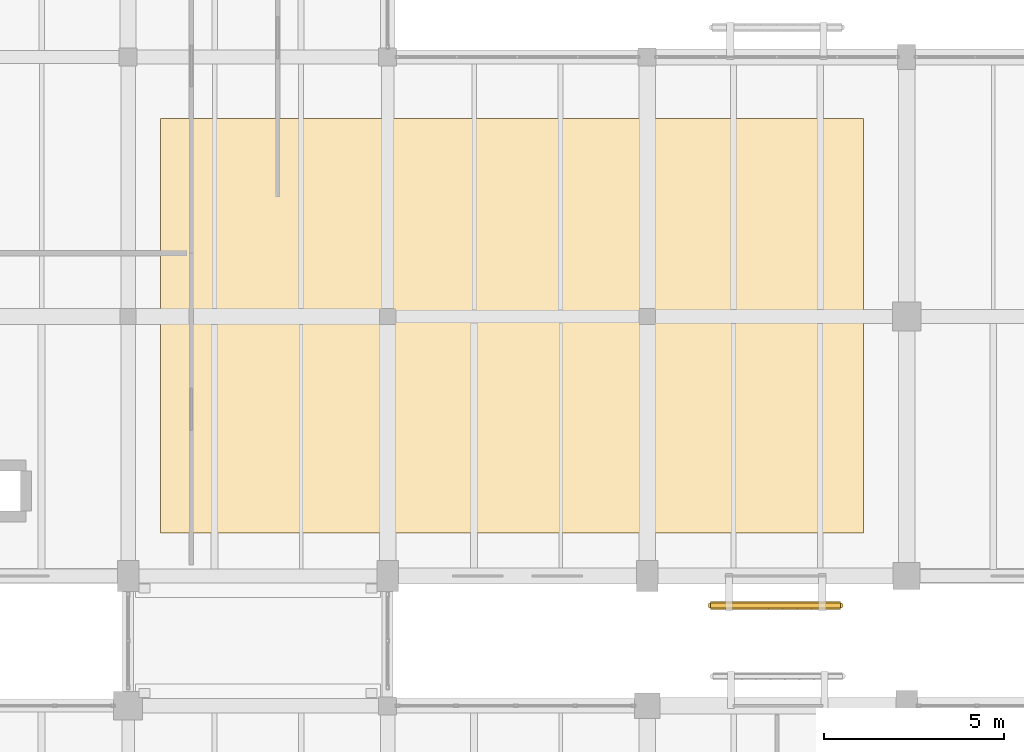
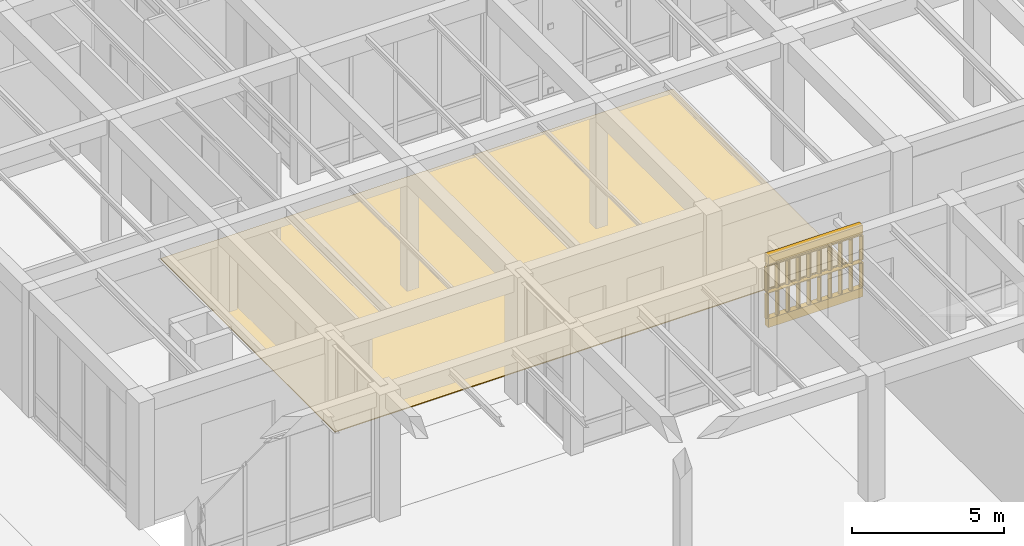
# One storey, part 163 of 169: 3 coverings, 2 railings.
"""IFC4 building model written with IfcOpenShell, lengths in metres."""

import ifcopenshell
import ifcopenshell.guid

model = None  # the IFC model being written
_history = None  # IfcOwnerHistory: only IFC2X3 demands one
_inside = {}  # id of a spatial element -> (the spatial element, [elements in it])
_under = {}  # id of a project, library or spatial element -> (it, [spatial elements below it])
_declared = {}  # id of a project -> (the project, [libraries it declares])
_typed = {}  # id of a type object -> (the type object, [elements of that type])
_made_of = {}  # id of a material, layer set ... -> (it, [elements and type objects made of it])


def new_model(schema):
    """Start an empty IFC model of exactly this schema.

    Asked for "IFC4X3", IfcOpenShell would pick the latest addendum, in which some entities
    have other attributes; the version numbers below select the first issue.
    IFC2X3 requires an IfcOwnerHistory on every rooted entity: one is made here for all.
    """
    global model, _history
    if schema == "IFC4X3":
        model = ifcopenshell.file(schema_version=(4, 3, 0, 0))
    else:
        model = ifcopenshell.file(schema=schema)
    _inside.clear()
    _under.clear()
    _declared.clear()
    _typed.clear()
    _made_of.clear()
    _history = None
    if model.schema == "IFC2X3":
        org = make("IfcOrganization", Name="unknown")
        user = make(
            "IfcPersonAndOrganization",
            ThePerson=make("IfcPerson", FamilyName="unknown"),
            TheOrganization=org,
        )
        app = make(
            "IfcApplication",
            ApplicationDeveloper=org,
            Version="unknown",
            ApplicationFullName="unknown",
            ApplicationIdentifier="unknown",
        )
        _history = make(
            "IfcOwnerHistory",
            OwningUser=user,
            OwningApplication=app,
            ChangeAction="ADDED",
            CreationDate=0,
        )
    return model


def make(cls, **values):
    """One entity of the class cls with the attributes given. An attribute that is None is left unset."""
    return model.create_entity(
        cls, **{name: value for name, value in values.items() if value is not None}
    )


def rooted(cls, **values):
    """An entity with a GlobalId (a new one), such as an element, a storey or a relation."""
    return make(cls, GlobalId=ifcopenshell.guid.new(), OwnerHistory=_history, **values)


def si_unit(unit_type, name, prefix=None):
    """IfcSIUnit, for example si_unit("LENGTHUNIT", "METRE", prefix="MILLI")."""
    return make("IfcSIUnit", UnitType=unit_type, Prefix=prefix, Name=name)


def assignment(units):
    """IfcUnitAssignment: the units of a project."""
    return None if units is None else make("IfcUnitAssignment", Units=units)


def point(xyz):
    """IfcCartesianPoint."""
    return None if xyz is None else make("IfcCartesianPoint", Coordinates=xyz)


def direction(xyz):
    """IfcDirection."""
    return None if xyz is None else make("IfcDirection", DirectionRatios=xyz)


def frame(location, z_axis=None, x_axis=None):
    """IfcAxis2Placement3D, a coordinate frame: its origin and axes. An axis left out is left unset."""
    return make(
        "IfcAxis2Placement3D",
        Location=point(location),
        Axis=direction(z_axis),
        RefDirection=direction(x_axis),
    )


def frame_2d(location, x_axis=None):
    """IfcAxis2Placement2D, a coordinate frame in the plane: its origin and x axis."""
    return make(
        "IfcAxis2Placement2D", Location=point(location), RefDirection=direction(x_axis)
    )


def origin():
    """The frame at (0, 0, 0) with its axes left unset."""
    return frame((0.0, 0.0, 0.0))


def origin_2d():
    """The frame at (0, 0) in the plane with its x axis left unset."""
    return frame_2d((0.0, 0.0))


def place(relative_to, where):
    """IfcLocalPlacement: puts the frame where relative to a parent placement (None: the world)."""
    return make(
        "IfcLocalPlacement", PlacementRelTo=relative_to, RelativePlacement=where
    )


def context(
    kind, dimensions, precision=None, world=None, true_north=None, identifier=None
):
    """IfcGeometricRepresentationContext, for example the 3D "Model" context."""
    return make(
        "IfcGeometricRepresentationContext",
        ContextIdentifier=identifier,
        ContextType=kind,
        CoordinateSpaceDimension=dimensions,
        Precision=precision,
        WorldCoordinateSystem=world,
        TrueNorth=true_north,
    )


def subcontext(parent, identifier, kind, view, scale=None):
    """IfcGeometricRepresentationSubContext, for example "Body" below "Model"."""
    return make(
        "IfcGeometricRepresentationSubContext",
        ContextIdentifier=identifier,
        ContextType=kind,
        ParentContext=parent,
        TargetScale=scale,
        TargetView=view,
    )


def project(units=None, contexts=None):
    """IfcProject with its units and contexts."""
    return rooted(
        "IfcProject",
        Name="project",
        RepresentationContexts=contexts,
        UnitsInContext=assignment(units),
    )


def spatial(cls, under=None, at=None, **own):
    """A site, building, storey or space (cls), placed at a placement, below another one or the project."""
    s = rooted(cls, ObjectPlacement=at, **own)
    if under is not None:
        _under.setdefault(under.id(), (under, []))[1].append(s)
    return s


def polyline(points):
    """IfcPolyline through the points."""
    return make("IfcPolyline", Points=[point(p) for p in points])


def profile(cls, at=None, kind="AREA", **sizes):
    """A parametric profile (cls). Its sizes go by their IFC names, for example OverallWidth=200.0."""
    return make(cls, ProfileType=kind, Position=at, **sizes)


def circle(**sizes):
    """IfcCircleProfileDef."""
    return profile("IfcCircleProfileDef", **sizes)


def outline(outer, holes=None, kind="AREA"):
    """IfcArbitraryClosedProfileDef: a profile drawn as a closed curve; with holes, ...WithVoids."""
    if holes is None:
        return make("IfcArbitraryClosedProfileDef", ProfileType=kind, OuterCurve=outer)
    return make(
        "IfcArbitraryProfileDefWithVoids",
        ProfileType=kind,
        OuterCurve=outer,
        InnerCurves=holes,
    )


def extrude(swept, where, along, depth):
    """IfcExtrudedAreaSolid: the profile swept, set in the frame where, extruded along a direction by depth."""
    return make(
        "IfcExtrudedAreaSolid",
        SweptArea=swept,
        Position=where,
        ExtrudedDirection=direction(along),
        Depth=depth,
    )


def shape(context_of_items, identifier, shape_type, items):
    """IfcShapeRepresentation: the items that make up one representation, for example the "Body"."""
    return make(
        "IfcShapeRepresentation",
        ContextOfItems=context_of_items,
        RepresentationIdentifier=identifier,
        RepresentationType=shape_type,
        Items=items,
    )


def material(Name=None, Category=None):
    """IfcMaterial."""
    return make("IfcMaterial", Name=Name, Category=Category)


def layer(
    of_material, thickness, ventilated=None, Name=None, Category=None, Priority=None
):
    """IfcMaterialLayer: one layer of a wall or slab, of a material (None: an air gap)."""
    return make(
        "IfcMaterialLayer",
        Material=of_material,
        LayerThickness=thickness,
        IsVentilated=ventilated,
        Name=Name,
        Category=Category,
        Priority=Priority,
    )


def layer_set(layers, Name=None):
    """IfcMaterialLayerSet."""
    return make("IfcMaterialLayerSet", MaterialLayers=layers, LayerSetName=Name)


def made_of(thing, what):
    """Note that an element or type object is made of a material, layer set ...; save() writes the relation."""
    if what is not None:
        _made_of.setdefault(what.id(), (what, []))[1].append(thing)
    return thing


def type_object(cls, material=None, **own):
    """A type object (cls), such as IfcWallType, which elements share."""
    return made_of(rooted(cls, **own), material)


def element(
    cls,
    number,
    at=None,
    inside=None,
    cuts=None,
    type_object=None,
    material=None,
    context=None,
    identifier="Body",
    shape_type=None,
    held_by="IfcProductDefinitionShape",
    body=None,
    shapes=None,
    **own,
):
    """One element of the class cls, such as IfcWall. Its Tag is "e" and its number.

    at: its placement. inside: the storey or other place that contains it. cuts: it is an
    opening in that element (IfcRelVoidsElement). A single representation is given by context,
    identifier, shape_type and body (its items); several are given by shapes. held_by: the class
    of the entity that holds the representations. save() writes the other relations.
    """
    e = rooted(cls, Tag="e%d" % number, ObjectPlacement=at, **own)
    if body is not None:
        shapes = [shape(context, identifier, shape_type, body)]
    if shapes is not None:
        e.Representation = make(held_by, Representations=shapes)
    if inside is not None:
        _inside.setdefault(inside.id(), (inside, []))[1].append(e)
    if cuts is not None:
        rooted(
            "IfcRelVoidsElement", RelatingBuildingElement=cuts, RelatedOpeningElement=e
        )
    if type_object is not None:
        _typed.setdefault(type_object.id(), (type_object, []))[1].append(e)
    return made_of(e, material)


def aggregate(whole, parts):
    """IfcRelAggregates: a whole, such as a stair, and the parts it consists of."""
    return rooted("IfcRelAggregates", RelatingObject=whole, RelatedObjects=parts)


def save(model, path):
    """Write the relations noted so far, then the file.

    IfcRelAggregates (storeys below a building ...), IfcRelContainedInSpatialStructure (elements
    in a storey), IfcRelDefinesByType, IfcRelAssociatesMaterial and IfcRelDeclares: one each for
    every whole, place, type object, material and project.
    """
    for whole, parts in _under.values():
        aggregate(whole, parts)
    for where, things in _inside.values():
        rooted(
            "IfcRelContainedInSpatialStructure",
            RelatedElements=things,
            RelatingStructure=where,
        )
    for kind, things in _typed.values():
        rooted("IfcRelDefinesByType", RelatedObjects=things, RelatingType=kind)
    for what, things in _made_of.values():
        rooted("IfcRelAssociatesMaterial", RelatedObjects=things, RelatingMaterial=what)
    for by, libraries in _declared.values():
        rooted("IfcRelDeclares", RelatingContext=by, RelatedDefinitions=libraries)
    model.write(path)


model = new_model("IFC4")

# Units and contexts
model_context = context("Model", 3, precision=1e-05, world=origin(), true_north=direction((0.0, 1.0)))
body_context = subcontext(model_context, "Body", "Model", "MODEL_VIEW")
ifc_project = project(units=[si_unit("LENGTHUNIT", "METRE"), si_unit("AREAUNIT", "SQUARE_METRE"), si_unit("VOLUMEUNIT", "CUBIC_METRE"), si_unit("PLANEANGLEUNIT", "RADIAN"), si_unit("MASSUNIT", "GRAM", prefix="KILO")], contexts=[model_context])

# Site, building, storey
site_placement = place(None, origin())
site = spatial("IfcSite", under=ifc_project, at=site_placement, CompositionType="ELEMENT")
building_placement = place(site_placement, origin())
building = spatial("IfcBuilding", under=site, at=building_placement, Name="Mazaris Harbour Polytechnic", CompositionType="ELEMENT")
storey_placement = place(building_placement, origin())
storey = spatial("IfcBuildingStorey", under=building, at=storey_placement, Name="L00", CompositionType="ELEMENT", Elevation=0.0)

# Covering
ifc_material_1 = material(Name="Honed Stone Terrazzo", Category="masonry")
ifc_layer_1 = layer(ifc_material_1, 0.034912109375, Name="Honed Stone Terrazzo")
ifc_layer_set_1 = layer_set([ifc_layer_1], Name="Honed Stone Terrazzo")
covering_type_1 = type_object("IfcCoveringType", Name="Honed Stone Terrazzo Flooring 35", PredefinedType="FLOORING", material=ifc_layer_set_1)
covering_1_placement = place(storey_placement, origin())
element("IfcCovering", 1, at=covering_1_placement, inside=storey, type_object=covering_type_1, Name="Covering COV-FL-06", PredefinedType="FLOORING", context=body_context, shape_type="SweptSolid", body=[
    extrude(outline(polyline([(130.5, 48.0), (150.0, 48.0), (150.0, 59.5), (130.5, 59.5), (130.5, 48.0)])), origin(), (0.0, 0.0, 1.0), 0.034912109375),
])

# Railings
ifc_material_2 = material(Name="Perforated Earth-Coloured Terracotta Block", Category="masonry")
railing_type = type_object("IfcRailingType", Name="Perforated Earth-Block Claustra Lattice 1040", PredefinedType="BALUSTRADE", material=ifc_material_2)
for number, where, name in (
    (2, (149.362548828125, 45.97998046875, 0.52001953125), "V5 L00 Lower Perforated Terracotta Block Screen 358"),
    (3, (149.362548828125, 45.97998046875, 1.610107421875), "V5 L00 Upper Perforated Terracotta Block Screen 358"),
):
    element("IfcRailing", number, at=place(storey_placement, frame(where)), inside=storey, type_object=railing_type, Name=name, PredefinedType="BALUSTRADE", context=body_context, shape_type="SweptSolid", body=[
        extrude(circle(Radius=0.06982421875, at=origin_2d()), frame((0.0, 0.0, 1.02001953125), z_axis=(-1.0, 0.0, 0.0), x_axis=(0.0, -1.0, 0.0)), (0.0, 0.0, 1.0), 3.60009765625),
        extrude(circle(Radius=0.074951171875, at=origin_2d()), origin(), (0.0, 0.0, 1.0), 0.9501953125),
        extrude(circle(Radius=0.074951171875, at=origin_2d()), frame((-0.39990234375, 0.0, 0.0)), (0.0, 0.0, 1.0), 0.9501953125),
        extrude(circle(Radius=0.074951171875, at=origin_2d()), frame((-0.800048828125, 0.0, 0.0)), (0.0, 0.0, 1.0), 0.9501953125),
        extrude(circle(Radius=0.074951171875, at=origin_2d()), frame((-1.199951171875, 0.0, 0.0)), (0.0, 0.0, 1.0), 0.9501953125),
        extrude(circle(Radius=0.074951171875, at=origin_2d()), frame((-1.60009765625, 0.0, 0.0)), (0.0, 0.0, 1.0), 0.9501953125),
        extrude(circle(Radius=0.074951171875, at=origin_2d()), frame((-2.0, 0.0, 0.0)), (0.0, 0.0, 1.0), 0.9501953125),
        extrude(circle(Radius=0.074951171875, at=origin_2d()), frame((-2.400146484375, 0.0, 0.0)), (0.0, 0.0, 1.0), 0.9501953125),
        extrude(circle(Radius=0.074951171875, at=origin_2d()), frame((-2.800048828125, 0.0, 0.0)), (0.0, 0.0, 1.0), 0.9501953125),
        extrude(circle(Radius=0.074951171875, at=origin_2d()), frame((-3.2001953125, 0.0, 0.0)), (0.0, 0.0, 1.0), 0.9501953125),
        extrude(circle(Radius=0.074951171875, at=origin_2d()), frame((-3.60009765625, 0.0, 0.0)), (0.0, 0.0, 1.0), 0.9501953125),
    ])

# Coverings
ifc_material_3 = material(Name="Perforated Earth-Coloured Terracotta Block", Category="masonry")
ifc_layer_2 = layer(ifc_material_3, 0.219970703125, Name="Perforated Earth-Coloured Terracotta Block")
ifc_layer_set_2 = layer_set([ifc_layer_2], Name="Perforated Earth-Coloured Terracotta Block")
covering_type_2 = type_object("IfcCoveringType", Name="Terracotta Screen Course Cladding 220", PredefinedType="CLADDING", material=ifc_layer_set_2)
covering_2_placement = place(storey_placement, frame((0.0, 0.0, 0.159912109375)))
element("IfcCovering", 4, at=covering_2_placement, inside=storey, type_object=covering_type_2, Name="V5 L00 Perforated Screen Sill Course 358", PredefinedType="CLADDING", context=body_context, shape_type="SweptSolid", body=[
    extrude(outline(polyline([(149.362548828125, 46.090087890625), (145.762451171875, 46.090087890625), (145.762451171875, 45.8701171875), (149.362548828125, 45.8701171875), (149.362548828125, 46.090087890625)])), origin(), (0.0, 0.0, 1.0), 0.360107421875),
])
covering_3_placement = place(storey_placement, frame((0.0, 0.0, 2.699951171875)))
element("IfcCovering", 5, at=covering_3_placement, inside=storey, type_object=covering_type_2, Name="V5 L00 Perforated Screen Lintel Course 358", PredefinedType="CLADDING", context=body_context, shape_type="SweptSolid", body=[
    extrude(outline(polyline([(149.362548828125, 46.090087890625), (145.762451171875, 46.090087890625), (145.762451171875, 45.8701171875), (149.362548828125, 45.8701171875), (149.362548828125, 46.090087890625)])), origin(), (0.0, 0.0, 1.0), 0.340087890625),
])

save(model, "model.ifc")
